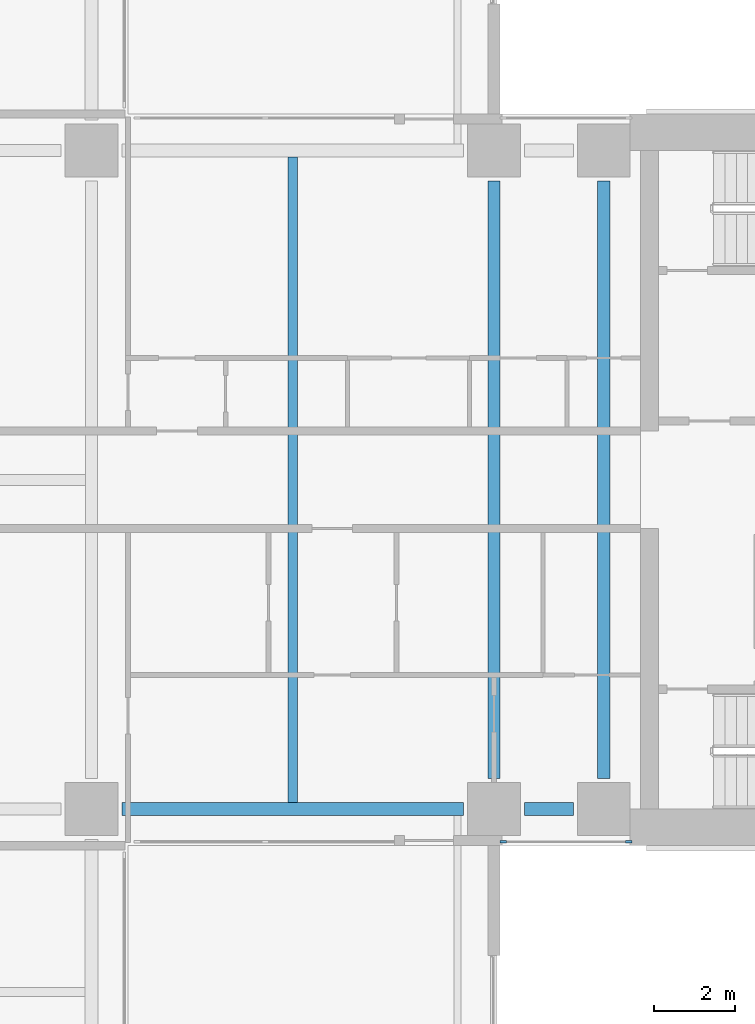
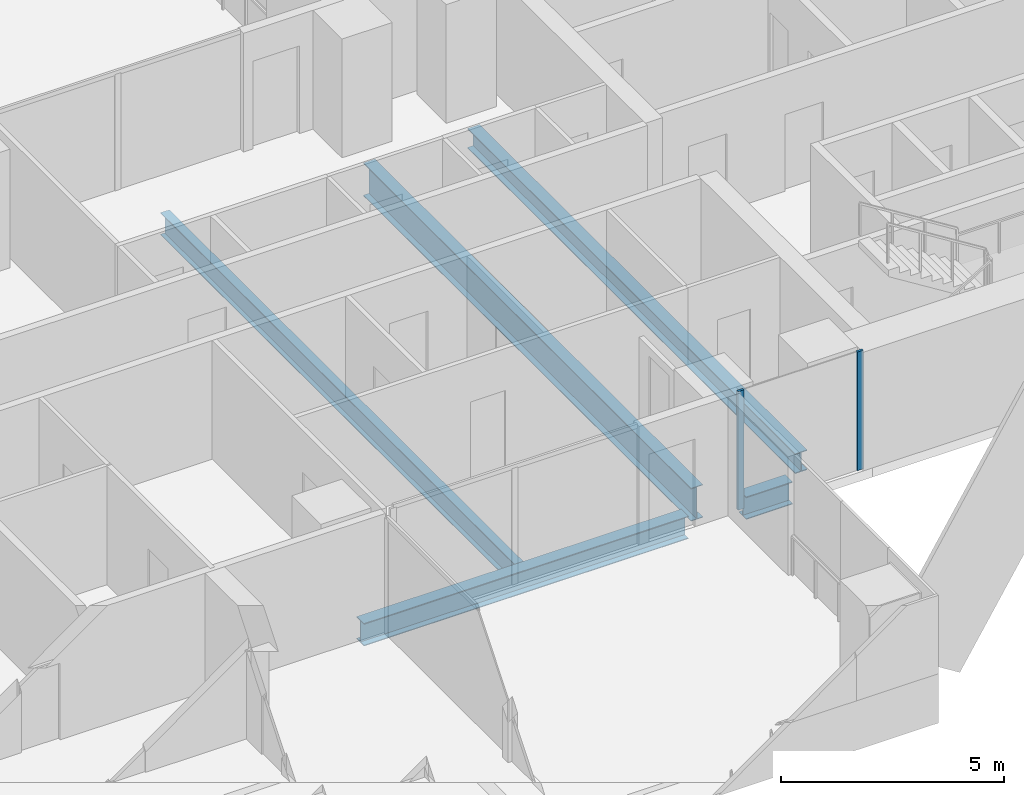
# One storey, part 5 of 23: 5 beams, 2 members, 1 element without a shape of its own.
"""IFC4 building model written with IfcOpenShell, lengths in metres."""

from ifc_helpers import new_model, si_unit, direction, frame, origin, origin_2d, place, context, subcontext, project, spatial, rectangle, i_section, extrude, material, material_profile, profile_set, type_object, element, aggregate, save


model = new_model("IFC4")

# Units and contexts
model_context = context("Model", 3, precision=1e-05, world=origin(), true_north=direction((0.0, 1.0)))
body_context = subcontext(model_context, "Body", "Model", "MODEL_VIEW")
ifc_project = project(units=[si_unit("LENGTHUNIT", "METRE"), si_unit("AREAUNIT", "SQUARE_METRE"), si_unit("VOLUMEUNIT", "CUBIC_METRE"), si_unit("PLANEANGLEUNIT", "RADIAN"), si_unit("MASSUNIT", "GRAM", prefix="KILO")], contexts=[model_context])

# Site, building, storey
site_placement = place(None, origin())
site = spatial("IfcSite", under=ifc_project, at=site_placement, CompositionType="ELEMENT")
building_placement = place(site_placement, origin())
building = spatial("IfcBuilding", under=site, at=building_placement, Name="Perihelion Cross Residences", CompositionType="ELEMENT")
storey_placement = place(building_placement, frame((0.0, 0.0, 36.5)))
storey = spatial("IfcBuildingStorey", under=building, at=storey_placement, Name="L05", CompositionType="ELEMENT", Elevation=36.5)

# Curtain wall, members
ifc_material_1 = material(Name="Bronze anodised aluminium, tinted glazing", Category="aluminium")
curtain_wall_type = type_object("IfcCurtainWallType", Name="CW1", PredefinedType="NOTDEFINED", material=ifc_material_1)
curtain_wall_placement = place(storey_placement, origin())
curtain_wall = element("IfcCurtainWall", 1, at=curtain_wall_placement, inside=storey, type_object=curtain_wall_type, Name="Curtain wall CW1 L05 east side south bay 2", PredefinedType="NOTDEFINED")
ifc_material_2 = material(Name="Bronze anodised aluminium", Category="aluminium")
ifc_material_profile_1 = material_profile(ifc_material_2, rectangle(XDim=0.06005859375, YDim=0.159912109375, at=origin_2d()), Name="CW1 mullion")
ifc_profile_set_1 = profile_set([ifc_material_profile_1], Name="Bronze anodised aluminium")
member_type = type_object("IfcMemberType", Name="CW1 mullion", PredefinedType="MULLION", material=ifc_profile_set_1)
member_1_placement = place(storey_placement, frame((18.22998046875, -8.89990234375, 0.0), z_axis=(0.0, 0.0, 1.0), x_axis=(0.0, 1.0, 0.0)))
member_1 = element("IfcMember", 2, at=member_1_placement, type_object=member_type, Name="CW1 mullion 1", PredefinedType="MULLION", context=body_context, shape_type="SweptSolid", body=[
    extrude(rectangle(XDim=0.06005859375, YDim=0.159912109375, at=origin_2d()), origin(), (0.0, 0.0, 1.0), 3.25),
])
member_2_placement = place(storey_placement, frame((21.320068359375, -8.89990234375, 0.0), z_axis=(0.0, 0.0, 1.0), x_axis=(0.0, 1.0, 0.0)))
member_2 = element("IfcMember", 3, at=member_2_placement, type_object=member_type, Name="CW1 mullion 2", PredefinedType="MULLION", context=body_context, shape_type="SweptSolid", body=[
    extrude(rectangle(XDim=0.06005859375, YDim=0.159912109375, at=origin_2d()), origin(), (0.0, 0.0, 1.0), 3.25),
])
aggregate(curtain_wall, [member_1, member_2])

# Beams
ifc_material_3 = material(Name="Steel S355", Category="steel")
ifc_material_profile_2 = material_profile(ifc_material_3, i_section(OverallWidth=0.31201171875, OverallDepth=0.5439453125, WebThickness=0.0126953125, FlangeThickness=0.020263671875, at=origin_2d()), Name="W530x150")
ifc_profile_set_2 = profile_set([ifc_material_profile_2], Name="Steel S355")
beam_type_1 = type_object("IfcBeamType", Name="Core edge beam W530x150", PredefinedType="BEAM", material=ifc_profile_set_2)
beam_1_placement = place(storey_placement, frame((20.699951171875, -7.35009765625, -0.52197265625), z_axis=(0.0, 1.0, 0.0), x_axis=(-1.0, 0.0, 0.0)))
element("IfcBeam", 4, at=beam_1_placement, inside=storey, type_object=beam_type_1, Name="Core edge beam TB4 L05 no. 2", PredefinedType="BEAM", context=body_context, shape_type="SweptSolid", body=[
    extrude(i_section(OverallWidth=0.31201171875, OverallDepth=0.5439453125, WebThickness=0.0126953125, FlangeThickness=0.020263671875, at=origin_2d()), origin(), (0.0, 0.0, 1.0), 14.7001953125),
])
ifc_material_4 = material(Name="Steel S355", Category="steel")
ifc_material_profile_3 = material_profile(ifc_material_4, i_section(OverallWidth=0.324951171875, OverallDepth=0.616943359375, WebThickness=0.013916015625, FlangeThickness=0.021484375, at=origin_2d()), Name="W610x174")
ifc_profile_set_3 = profile_set([ifc_material_profile_3], Name="Steel S355")
beam_type_2 = type_object("IfcBeamType", Name="Edge beam W610x174", PredefinedType="SPANDREL", material=ifc_profile_set_3)
beam_2_placement = place(storey_placement, frame((8.85009765625, -8.10009765625, -0.55859375), z_axis=(1.0, 0.0, 0.0), x_axis=(0.0, 1.0, 0.0)))
element("IfcBeam", 5, at=beam_2_placement, inside=storey, type_object=beam_type_2, Name="Edge beam SB2 L05 no. 18", PredefinedType="SPANDREL", context=body_context, shape_type="SweptSolid", body=[
    extrude(i_section(OverallWidth=0.324951171875, OverallDepth=0.616943359375, WebThickness=0.013916015625, FlangeThickness=0.021484375, at=origin_2d()), origin(), (0.0, 0.0, 1.0), 8.39990234375),
])
beam_3_placement = place(storey_placement, frame((18.75, -8.10009765625, -0.55859375), z_axis=(1.0, 0.0, 0.0), x_axis=(0.0, 1.0, 0.0)))
element("IfcBeam", 6, at=beam_3_placement, inside=storey, type_object=beam_type_2, Name="Edge beam SB2 L05 no. 12", PredefinedType="SPANDREL", context=body_context, shape_type="SweptSolid", body=[
    extrude(i_section(OverallWidth=0.324951171875, OverallDepth=0.616943359375, WebThickness=0.013916015625, FlangeThickness=0.021484375, at=origin_2d()), origin(), (0.0, 0.0, 1.0), 1.199951171875),
])
ifc_material_5 = material(Name="Steel S355", Category="steel")
ifc_material_profile_4 = material_profile(ifc_material_5, i_section(OverallWidth=0.304931640625, OverallDepth=0.904052734375, WebThickness=0.01513671875, FlangeThickness=0.02001953125, at=origin_2d()), Name="W920x201")
ifc_profile_set_4 = profile_set([ifc_material_profile_4], Name="Steel S355")
beam_type_3 = type_object("IfcBeamType", Name="Floor girder W920x201", PredefinedType="BEAM", material=ifc_profile_set_4)
beam_4_placement = place(storey_placement, frame((18.0, -7.35009765625, -0.701904296875), z_axis=(0.0, 1.0, 0.0), x_axis=(-1.0, 0.0, 0.0)))
element("IfcBeam", 7, at=beam_4_placement, inside=storey, type_object=beam_type_3, Name="Girder G2 L05 no. 2", PredefinedType="BEAM", context=body_context, shape_type="SweptSolid", body=[
    extrude(i_section(OverallWidth=0.304931640625, OverallDepth=0.904052734375, WebThickness=0.01513671875, FlangeThickness=0.02001953125, at=origin_2d()), origin(), (0.0, 0.0, 1.0), 14.7001953125),
])
ifc_material_6 = material(Name="Steel S355", Category="steel")
ifc_material_profile_5 = material_profile(ifc_material_6, i_section(OverallWidth=0.22900390625, OverallDepth=0.612060546875, WebThickness=0.011962890625, FlangeThickness=0.01953125, at=origin_2d()), Name="W610x125")
ifc_profile_set_5 = profile_set([ifc_material_profile_5], Name="Steel S355")
beam_type_4 = type_object("IfcBeamType", Name="Floor joist W610x125", PredefinedType="JOIST", material=ifc_profile_set_5)
beam_5_placement = place(storey_placement, frame((13.050048828125, -7.9375, -0.555908203125), z_axis=(0.0, 1.0, 0.0), x_axis=(-1.0, 0.0, 0.0)))
element("IfcBeam", 8, at=beam_5_placement, inside=storey, type_object=beam_type_4, Name="Joist J3 L05 no. 2", PredefinedType="JOIST", context=body_context, shape_type="SweptSolid", body=[
    extrude(i_section(OverallWidth=0.22900390625, OverallDepth=0.612060546875, WebThickness=0.011962890625, FlangeThickness=0.01953125, at=origin_2d()), origin(), (0.0, 0.0, 1.0), 15.875),
])

save(model, "model.ifc")
